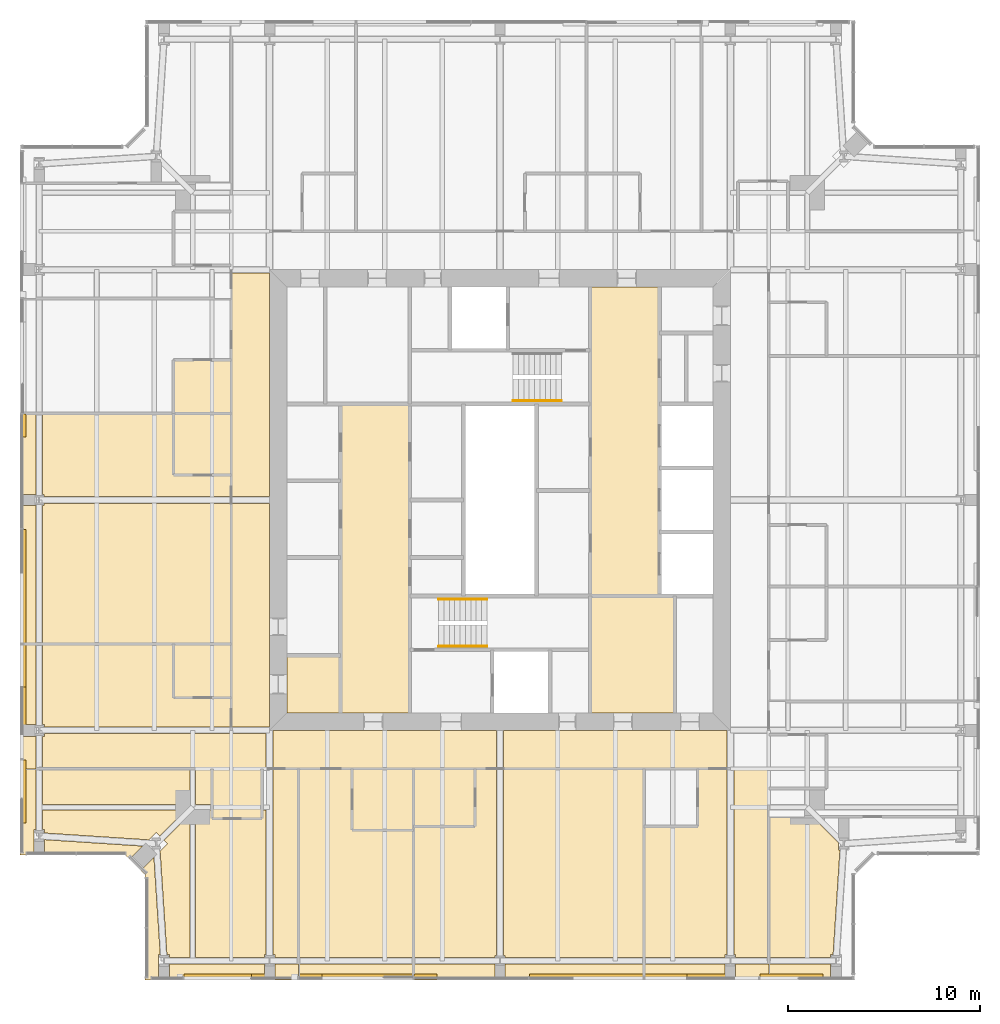
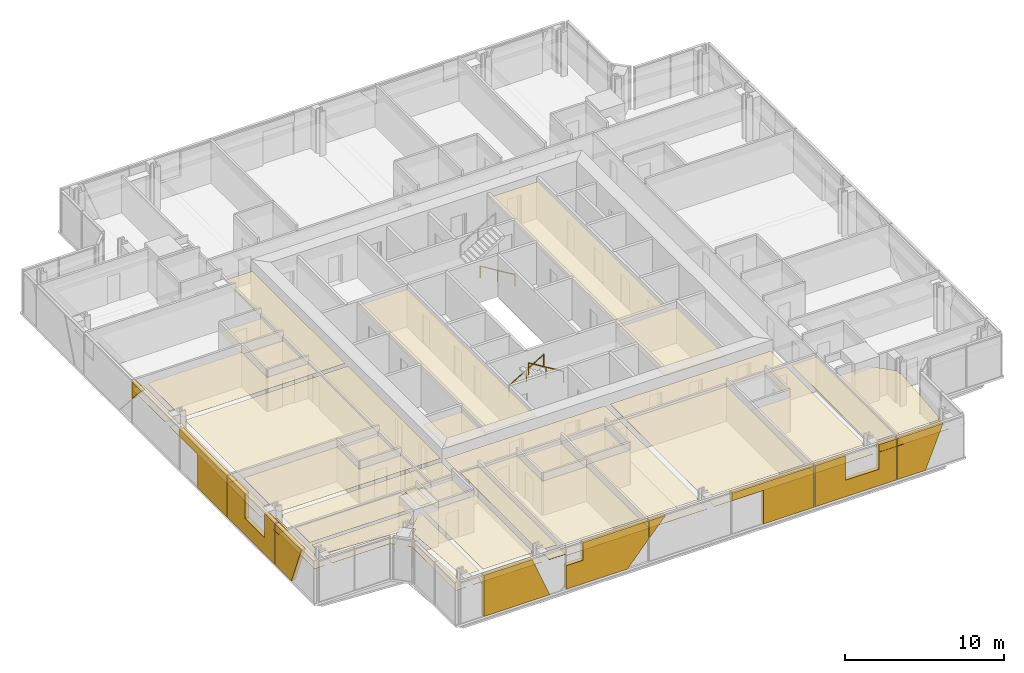
# One storey, part 17 of 19: 56 coverings, 3 railings.
"""IFC4 building model written with IfcOpenShell, lengths in metres."""

from ifc_helpers import new_model, si_unit, direction, frame, origin, origin_2d, place, context, subcontext, project, spatial, polyline, circle, outline, extrude, material, layer, layer_set, type_object, element, save


model = new_model("IFC4")

# Units and contexts
model_context = context("Model", 3, precision=1e-05, world=origin(), true_north=direction((0.0, 1.0)))
body_context = subcontext(model_context, "Body", "Model", "MODEL_VIEW")
ifc_project = project(units=[si_unit("LENGTHUNIT", "METRE"), si_unit("AREAUNIT", "SQUARE_METRE"), si_unit("VOLUMEUNIT", "CUBIC_METRE"), si_unit("PLANEANGLEUNIT", "RADIAN"), si_unit("MASSUNIT", "GRAM", prefix="KILO")], contexts=[model_context])

# Site, building, storey
site_placement = place(None, origin())
site = spatial("IfcSite", under=ifc_project, at=site_placement, CompositionType="ELEMENT")
building_placement = place(site_placement, origin())
building = spatial("IfcBuilding", under=site, at=building_placement, Name="Fenwick Lantern Interchange", CompositionType="ELEMENT")
storey_placement = place(building_placement, frame((0.0, 0.0, 273.0)))
storey = spatial("IfcBuildingStorey", under=building, at=storey_placement, Name="L65", CompositionType="ELEMENT", Elevation=273.0)

# Coverings
ifc_material_1 = material(Name="Granite cladding, warm grey flamed finish, on aluminium carrier frame", Category="masonry")
ifc_layer_1 = layer(ifc_material_1, 0.300048828125)
ifc_layer_set_1 = layer_set([ifc_layer_1], Name="BRACE CASING PANEL 300")
covering_type_1 = type_object("IfcCoveringType", Name="BRACE CASING PANEL 300", PredefinedType="CLADDING", material=ifc_layer_set_1)
covering_1_placement = place(storey_placement, frame((6.60009765625, 0.10009765625, 0.0), z_axis=(0.0, 0.0, 1.0), x_axis=(1.0, 0.0, 0.0)))
element("IfcCovering", 1, at=covering_1_placement, inside=storey, type_object=covering_type_1, Name="Brace casing 01 bay 01a", PredefinedType="CLADDING", context=body_context, shape_type="SweptSolid", body=[
    extrude(outline(polyline([(1.929931640625, 0.0), (6.721435546875, 0.0), (5.44775390625, 3.14990234375), (1.929931640625, 3.14990234375), (1.929931640625, 0.0)])), frame((0.0, 0.2099609375, 0.0), z_axis=(0.0, -1.0, 0.0), x_axis=(1.0, 0.0, 0.0)), (0.0, 0.0, 1.0), 0.300048828125),
])
covering_2_placement = place(storey_placement, frame((6.60009765625, 0.10009765625, 0.0), z_axis=(0.0, 0.0, 1.0), x_axis=(1.0, 0.0, 0.0)))
element("IfcCovering", 2, at=covering_2_placement, inside=storey, type_object=covering_type_1, Name="Brace casing 01 bay 02a", PredefinedType="CLADDING", context=body_context, shape_type="SweptSolid", body=[
    extrude(outline(polyline([(7.929931640625, 0.0), (12.335205078125, 0.0), (13.8701171875, 1.739501953125), (13.8701171875, 3.14990234375), (9.1201171875, 3.14990234375), (9.1201171875, 1.79736328125), (7.929931640625, 1.79736328125), (7.929931640625, 0.0)])), frame((0.0, 0.2099609375, 0.0), z_axis=(0.0, -1.0, 0.0), x_axis=(1.0, 0.0, 0.0)), (0.0, 0.0, 1.0), 0.300048828125),
])
covering_3_placement = place(storey_placement, frame((6.60009765625, 0.10009765625, 1.807373046875), z_axis=(0.0, 0.0, 1.0), x_axis=(1.0, 0.0, 0.0)))
element("IfcCovering", 3, at=covering_3_placement, inside=storey, type_object=covering_type_1, Name="Brace casing 01 bay 03a", PredefinedType="CLADDING", context=body_context, shape_type="SweptSolid", body=[
    extrude(outline(polyline([(13.929931640625, 0.0), (15.114501953125, 1.342529296875), (13.929931640625, 1.342529296875), (13.929931640625, 0.0)])), frame((0.0, 0.2099609375, 0.0), z_axis=(0.0, -1.0, 0.0), x_axis=(1.0, 0.0, 0.0)), (0.0, 0.0, 1.0), 0.300048828125),
])
covering_4_placement = place(storey_placement, frame((6.60009765625, 0.10009765625, 0.0), z_axis=(0.0, 0.0, 1.0), x_axis=(1.0, 0.0, 0.0)))
element("IfcCovering", 4, at=covering_4_placement, inside=storey, type_object=covering_type_1, Name="Brace casing 01 bay 04a", PredefinedType="CLADDING", context=body_context, shape_type="SweptSolid", body=[
    extrude(outline(polyline([(22.195068359375, 0.0), (25.8701171875, 0.0), (25.8701171875, 3.14990234375), (19.929931640625, 3.14990234375), (19.929931640625, 2.572509765625), (22.195068359375, 2.572509765625), (22.195068359375, 0.0)])), frame((0.0, 0.2099609375, 0.0), z_axis=(0.0, -1.0, 0.0), x_axis=(1.0, 0.0, 0.0)), (0.0, 0.0, 1.0), 0.300048828125),
])
covering_5_placement = place(storey_placement, frame((6.60009765625, 0.10009765625, 0.0), z_axis=(0.0, 0.0, 1.0), x_axis=(1.0, 0.0, 0.0)))
element("IfcCovering", 5, at=covering_5_placement, inside=storey, type_object=covering_type_1, Name="Brace casing 01 bay 05a", PredefinedType="CLADDING", context=body_context, shape_type="SweptSolid", body=[
    extrude(outline(polyline([(25.929931640625, 0.0), (31.8701171875, 0.0), (31.8701171875, 3.14990234375), (30.59130859375, 3.14990234375), (30.59130859375, 1.2685546875), (28.146484375, 1.2685546875), (28.146484375, 3.14990234375), (25.929931640625, 3.14990234375), (25.929931640625, 0.0)])), frame((0.0, 0.2099609375, 0.0), z_axis=(0.0, -1.0, 0.0), x_axis=(1.0, 0.0, 0.0)), (0.0, 0.0, 1.0), 0.300048828125),
])
covering_6_placement = place(storey_placement, frame((6.60009765625, 0.10009765625, 0.0), z_axis=(0.0, 0.0, 1.0), x_axis=(1.0, 0.0, 0.0)))
element("IfcCovering", 6, at=covering_6_placement, inside=storey, type_object=covering_type_1, Name="Brace casing 01 bay 06a", PredefinedType="CLADDING", context=body_context, shape_type="SweptSolid", body=[
    extrude(outline(polyline([(31.929931640625, 0.0), (33.961669921875, 0.0), (35.235595703125, 3.14990234375), (31.929931640625, 3.14990234375), (31.929931640625, 0.0)])), frame((0.0, 0.2099609375, 0.0), z_axis=(0.0, -1.0, 0.0), x_axis=(1.0, 0.0, 0.0)), (0.0, 0.0, 1.0), 0.300048828125),
])
covering_7_placement = place(storey_placement, frame((0.10009765625, 43.39990234375, 1.807373046875), z_axis=(0.0, 0.0, 1.0), x_axis=(0.0, -1.0, 0.0)))
element("IfcCovering", 7, at=covering_7_placement, inside=storey, type_object=covering_type_1, Name="Brace casing 13 bay 03a", PredefinedType="CLADDING", context=body_context, shape_type="SweptSolid", body=[
    extrude(outline(polyline([(13.929931640625, 0.0), (15.114501953125, 1.342529296875), (13.929931640625, 1.342529296875), (13.929931640625, 0.0)])), frame((0.0, 0.2099609375, 0.0), z_axis=(0.0, -1.0, 0.0), x_axis=(1.0, 0.0, 0.0)), (0.0, 0.0, 1.0), 0.300048828125),
])
covering_8_placement = place(storey_placement, frame((0.10009765625, 43.39990234375, 0.0), z_axis=(0.0, 0.0, 1.0), x_axis=(0.0, -1.0, 0.0)))
element("IfcCovering", 8, at=covering_8_placement, inside=storey, type_object=covering_type_1, Name="Brace casing 13 bay 04a", PredefinedType="CLADDING", context=body_context, shape_type="SweptSolid", body=[
    extrude(outline(polyline([(22.195068359375, 0.0), (25.8701171875, 0.0), (25.8701171875, 3.14990234375), (19.929931640625, 3.14990234375), (19.929931640625, 2.572509765625), (22.195068359375, 2.572509765625), (22.195068359375, 0.0)])), frame((0.0, 0.2099609375, 0.0), z_axis=(0.0, -1.0, 0.0), x_axis=(1.0, 0.0, 0.0)), (0.0, 0.0, 1.0), 0.300048828125),
])
covering_9_placement = place(storey_placement, frame((0.10009765625, 43.39990234375, 0.0), z_axis=(0.0, 0.0, 1.0), x_axis=(0.0, -1.0, 0.0)))
element("IfcCovering", 9, at=covering_9_placement, inside=storey, type_object=covering_type_1, Name="Brace casing 13 bay 05a", PredefinedType="CLADDING", context=body_context, shape_type="SweptSolid", body=[
    extrude(outline(polyline([(25.929931640625, 0.0), (31.8701171875, 0.0), (31.8701171875, 3.14990234375), (30.59130859375, 3.14990234375), (30.59130859375, 1.2685546875), (28.146484375, 1.2685546875), (28.146484375, 3.14990234375), (25.929931640625, 3.14990234375), (25.929931640625, 0.0)])), frame((0.0, 0.2099609375, 0.0), z_axis=(0.0, -1.0, 0.0), x_axis=(1.0, 0.0, 0.0)), (0.0, 0.0, 1.0), 0.300048828125),
])
covering_10_placement = place(storey_placement, frame((0.10009765625, 43.39990234375, 0.0), z_axis=(0.0, 0.0, 1.0), x_axis=(0.0, -1.0, 0.0)))
element("IfcCovering", 10, at=covering_10_placement, inside=storey, type_object=covering_type_1, Name="Brace casing 13 bay 06a", PredefinedType="CLADDING", context=body_context, shape_type="SweptSolid", body=[
    extrude(outline(polyline([(31.929931640625, 0.0), (33.961669921875, 0.0), (35.235595703125, 3.14990234375), (31.929931640625, 3.14990234375), (31.929931640625, 0.0)])), frame((0.0, 0.2099609375, 0.0), z_axis=(0.0, -1.0, 0.0), x_axis=(1.0, 0.0, 0.0)), (0.0, 0.0, 1.0), 0.300048828125),
])

# Railings
ifc_material_2 = material(Name="Stainless steel handrail", Category="steel")
railing_type = type_object("IfcRailingType", Name="HANDRAIL 900", PredefinedType="HANDRAIL", material=ifc_material_2)
railing_1_placement = place(storey_placement, frame((21.800048828125, 19.825927734375, 0.169921875)))
element("IfcRailing", 11, at=railing_1_placement, inside=storey, type_object=railing_type, Name="L65/STAIR/ST1/HR1", PredefinedType="HANDRAIL", context=body_context, shape_type="SweptSolid", body=[
    extrude(circle(Radius=0.02392578125, at=origin_2d()), frame((0.0, 0.0, 0.8759765625), z_axis=(0.85478489116, 0.0, 0.518982456201), x_axis=(0.0, 1.0, 0.0)), (0.0, 0.0, 1.0), 2.9482421875),
    extrude(circle(Radius=0.02099609375, at=origin_2d()), origin(), (0.0, 0.0, 1.0), 0.851806640625),
    extrude(circle(Radius=0.02099609375, at=origin_2d()), frame((1.260009765625, 0.0, 0.76513671875)), (0.0, 0.0, 1.0), 0.851806640625),
    extrude(circle(Radius=0.02099609375, at=origin_2d()), frame((2.52001953125, 0.0, 1.530029296875)), (0.0, 0.0, 1.0), 0.851806640625),
])
railing_2_placement = place(storey_placement, frame((24.320068359375, 17.3740234375, 1.8701171875)))
element("IfcRailing", 12, at=railing_2_placement, inside=storey, type_object=railing_type, Name="L65/STAIR/ST1/HR2", PredefinedType="HANDRAIL", context=body_context, shape_type="SweptSolid", body=[
    extrude(circle(Radius=0.02392578125, at=origin_2d()), frame((0.0, 0.0, 0.8759765625), z_axis=(-0.854821627497, 0.0, 0.518921945155), x_axis=(0.0, -1.0, 0.0)), (0.0, 0.0, 1.0), 2.947998046875),
    extrude(circle(Radius=0.02099609375, at=origin_2d()), origin(), (0.0, 0.0, 1.0), 0.851806640625),
    extrude(circle(Radius=0.02099609375, at=origin_2d()), frame((-1.260009765625, 0.0, 0.764892578125)), (0.0, 0.0, 1.0), 0.851806640625),
    extrude(circle(Radius=0.02099609375, at=origin_2d()), frame((-2.52001953125, 0.0, 1.52978515625)), (0.0, 0.0, 1.0), 0.851806640625),
])
railing_3_placement = place(storey_placement, frame((28.199951171875, 30.174072265625, 0.169921875)))
element("IfcRailing", 13, at=railing_3_placement, inside=storey, type_object=railing_type, Name="L65/STAIR/ST2/HR1", PredefinedType="HANDRAIL", context=body_context, shape_type="SweptSolid", body=[
    extrude(circle(Radius=0.02392578125, at=origin_2d()), frame((0.0, 0.0, 0.8759765625), z_axis=(-0.85478489116, 0.0, 0.518982456201), x_axis=(0.0, -1.0, 0.0)), (0.0, 0.0, 1.0), 2.9482421875),
    extrude(circle(Radius=0.02099609375, at=origin_2d()), origin(), (0.0, 0.0, 1.0), 0.851806640625),
    extrude(circle(Radius=0.02099609375, at=origin_2d()), frame((-1.260009765625, 0.0, 0.76513671875)), (0.0, 0.0, 1.0), 0.851806640625),
    extrude(circle(Radius=0.02099609375, at=origin_2d()), frame((-2.52001953125, 0.0, 1.530029296875)), (0.0, 0.0, 1.0), 0.851806640625),
])

# Coverings
ifc_material_3 = material(Name="Moisture resistant gypsum board on suspended frame, painted")
ifc_layer_2 = layer(ifc_material_3, 0.014892578125)
ifc_layer_set_2 = layer_set([ifc_layer_2], Name="MOISTURE RESISTANT CEILING 15")
covering_type_2 = type_object("IfcCoveringType", Name="MOISTURE RESISTANT CEILING 15", PredefinedType="CEILING", material=ifc_layer_set_2)
covering_11_placement = place(storey_placement, frame((0.0, 0.0, 2.60009765625)))
element("IfcCovering", 14, at=covering_11_placement, inside=storey, type_object=covering_type_2, Name="Women's WC ceiling", PredefinedType="CEILING", context=body_context, shape_type="SweptSolid", body=[
    extrude(outline(polyline([(29.699951171875, 13.89990234375), (34.10009765625, 13.89990234375), (34.10009765625, 20.0), (29.699951171875, 20.0), (29.699951171875, 13.89990234375)])), origin(), (0.0, 0.0, 1.0), 0.014892578125),
])
covering_12_placement = place(storey_placement, frame((0.0, 0.0, 2.60009765625)))
element("IfcCovering", 15, at=covering_12_placement, inside=storey, type_object=covering_type_2, Name="Accessible WC ceiling", PredefinedType="CEILING", context=body_context, shape_type="SweptSolid", body=[
    extrude(outline(polyline([(13.89990234375, 13.89990234375), (16.699951171875, 13.89990234375), (16.699951171875, 16.89990234375), (13.89990234375, 16.89990234375), (13.89990234375, 13.89990234375)])), origin(), (0.0, 0.0, 1.0), 0.014892578125),
])
covering_13_placement = place(storey_placement, frame((0.0, 0.0, 2.39990234375)))
element("IfcCovering", 16, at=covering_13_placement, inside=storey, type_object=covering_type_2, Name="En-suite 6501 ceiling", PredefinedType="CEILING", context=body_context, shape_type="SweptSolid", body=[
    extrude(outline(polyline([(10.0, 8.39990234375), (12.60009765625, 8.39990234375), (12.60009765625, 11.0), (10.0, 11.0), (10.0, 8.39990234375)])), origin(), (0.0, 0.0, 1.0), 0.01513671875),
])
covering_14_placement = place(storey_placement, frame((0.0, 0.0, 2.39990234375)))
element("IfcCovering", 17, at=covering_14_placement, inside=storey, type_object=covering_type_2, Name="En-suite 6502 ceiling", PredefinedType="CEILING", context=body_context, shape_type="SweptSolid", body=[
    extrude(outline(polyline([(17.300048828125, 7.800048828125), (20.5, 7.800048828125), (20.5, 11.0), (17.300048828125, 11.0), (17.300048828125, 7.800048828125)])), origin(), (0.0, 0.0, 1.0), 0.01513671875),
])
covering_15_placement = place(storey_placement, frame((0.0, 0.0, 2.39990234375)))
element("IfcCovering", 18, at=covering_15_placement, inside=storey, type_object=covering_type_2, Name="En-suite 6503 ceiling", PredefinedType="CEILING", context=body_context, shape_type="SweptSolid", body=[
    extrude(outline(polyline([(20.5, 8.0), (23.699951171875, 8.0), (23.699951171875, 11.0), (20.5, 11.0), (20.5, 8.0)])), origin(), (0.0, 0.0, 1.0), 0.01513671875),
])
covering_16_placement = place(storey_placement, frame((0.0, 0.0, 2.39990234375)))
element("IfcCovering", 19, at=covering_16_placement, inside=storey, type_object=covering_type_2, Name="En-suite 6514 ceiling", PredefinedType="CEILING", context=body_context, shape_type="SweptSolid", body=[
    extrude(outline(polyline([(8.0, 32.300048828125), (8.0, 29.5), (11.0, 29.5), (11.0, 32.300048828125), (8.0, 32.300048828125)])), origin(), (0.0, 0.0, 1.0), 0.01513671875),
])
covering_17_placement = place(storey_placement, frame((0.0, 0.0, 2.39990234375)))
element("IfcCovering", 20, at=covering_17_placement, inside=storey, type_object=covering_type_2, Name="En-suite 6515 ceiling", PredefinedType="CEILING", context=body_context, shape_type="SweptSolid", body=[
    extrude(outline(polyline([(8.0, 29.5), (8.0, 26.300048828125), (11.0, 26.300048828125), (11.0, 29.5), (8.0, 29.5)])), origin(), (0.0, 0.0, 1.0), 0.01513671875),
])
covering_18_placement = place(storey_placement, frame((0.0, 0.0, 2.39990234375)))
element("IfcCovering", 21, at=covering_18_placement, inside=storey, type_object=covering_type_2, Name="En-suite 6516 ceiling", PredefinedType="CEILING", context=body_context, shape_type="SweptSolid", body=[
    extrude(outline(polyline([(8.0, 17.5), (8.0, 14.699951171875), (11.0, 14.699951171875), (11.0, 17.5), (8.0, 17.5)])), origin(), (0.0, 0.0, 1.0), 0.01513671875),
])
ifc_material_4 = material(Name="Gypsum plasterboard on suspended frame, painted")
ifc_layer_3 = layer(ifc_material_4, 0.014892578125)
ifc_layer_set_3 = layer_set([ifc_layer_3], Name="PLASTERBOARD CEILING 15")
covering_type_3 = type_object("IfcCoveringType", Name="PLASTERBOARD CEILING 15", PredefinedType="CEILING", material=ifc_layer_set_3)
covering_19_placement = place(storey_placement, frame((0.0, 0.0, 2.800048828125)))
element("IfcCovering", 22, at=covering_19_placement, inside=storey, type_object=covering_type_3, Name="Lift lobby ceiling", PredefinedType="CEILING", context=body_context, shape_type="SweptSolid", body=[
    extrude(outline(polyline([(16.699951171875, 13.89990234375), (20.300048828125, 13.89990234375), (20.300048828125, 30.0), (16.699951171875, 30.0), (16.699951171875, 13.89990234375)])), origin(), (0.0, 0.0, 1.0), 0.014892578125),
])
covering_20_placement = place(storey_placement, frame((0.0, 0.0, 2.800048828125)))
element("IfcCovering", 23, at=covering_20_placement, inside=storey, type_object=covering_type_3, Name="Lift lobby ceiling", PredefinedType="CEILING", context=body_context, shape_type="SweptSolid", body=[
    extrude(outline(polyline([(33.300048828125, 36.10009765625), (29.699951171875, 36.10009765625), (29.699951171875, 20.0), (33.300048828125, 20.0), (33.300048828125, 36.10009765625)])), origin(), (0.0, 0.0, 1.0), 0.014892578125),
])
covering_21_placement = place(storey_placement, frame((0.0, 0.0, 2.57275390625)))
element("IfcCovering", 24, at=covering_21_placement, inside=storey, type_object=covering_type_3, Name="Corridor ceiling", PredefinedType="CEILING", context=body_context, shape_type="SweptSolid", body=[
    extrude(outline(polyline([(11.0, 36.833984375), (11.0, 25.175048828125), (13.0, 25.175048828125), (13.0, 36.833984375), (11.0, 36.833984375)])), origin(), (0.0, 0.0, 1.0), 0.01513671875),
])
covering_22_placement = place(storey_placement, frame((0.0, 0.0, 2.57275390625)))
element("IfcCovering", 25, at=covering_22_placement, inside=storey, type_object=covering_type_3, Name="Corridor ceiling", PredefinedType="CEILING", context=body_context, shape_type="SweptSolid", body=[
    extrude(outline(polyline([(11.0, 24.824951171875), (11.0, 13.166015625), (13.0, 13.166015625), (13.0, 24.824951171875), (11.0, 24.824951171875)])), origin(), (0.0, 0.0, 1.0), 0.01513671875),
])
covering_23_placement = place(storey_placement, frame((0.0, 0.0, 2.57275390625)))
element("IfcCovering", 26, at=covering_23_placement, inside=storey, type_object=covering_type_3, Name="Corridor ceiling", PredefinedType="CEILING", context=body_context, shape_type="SweptSolid", body=[
    extrude(outline(polyline([(13.183837890625, 11.0), (24.816162109375, 11.0), (24.816162109375, 13.0), (13.183837890625, 13.0), (13.183837890625, 11.0)])), origin(), (0.0, 0.0, 1.0), 0.01513671875),
])
covering_24_placement = place(storey_placement, frame((0.0, 0.0, 2.57275390625)))
element("IfcCovering", 27, at=covering_24_placement, inside=storey, type_object=covering_type_3, Name="Corridor ceiling", PredefinedType="CEILING", context=body_context, shape_type="SweptSolid", body=[
    extrude(outline(polyline([(25.183837890625, 11.0), (36.816162109375, 11.0), (36.816162109375, 13.0), (25.183837890625, 13.0), (25.183837890625, 11.0)])), origin(), (0.0, 0.0, 1.0), 0.01513671875),
])
covering_25_placement = place(storey_placement, frame((0.0, 0.0, 2.57275390625)))
element("IfcCovering", 28, at=covering_25_placement, inside=storey, type_object=covering_type_3, Name="Corridor ceiling", PredefinedType="CEILING", context=body_context, shape_type="SweptSolid", body=[
    extrude(outline(polyline([(11.0, 11.0), (12.816162109375, 11.0), (12.816162109375, 12.833984375), (11.0, 12.833984375), (11.0, 11.0)])), origin(), (0.0, 0.0, 1.0), 0.01513671875),
])
covering_26_placement = place(storey_placement, frame((0.0, 0.0, 2.699951171875)))
element("IfcCovering", 29, at=covering_26_placement, inside=storey, type_object=covering_type_3, Name="Guest suite 6501 ceiling", PredefinedType="CEILING", context=body_context, shape_type="SweptSolid", body=[
    extrude(outline(polyline([(10.0, 8.39990234375), (10.0, 8.865478515625), (9.134521484375, 8.865478515625), (9.134521484375, 1.17236328125), (12.72900390625, 1.17236328125), (12.72900390625, 1.3154296875), (12.816162109375, 1.3154296875), (12.816162109375, 8.865478515625), (12.60009765625, 8.865478515625), (12.60009765625, 8.39990234375), (10.0, 8.39990234375)])), origin(), (0.0, 0.0, 1.0), 0.01513671875),
])
covering_27_placement = place(storey_placement, frame((0.0, 0.0, 2.699951171875)))
element("IfcCovering", 30, at=covering_27_placement, inside=storey, type_object=covering_type_3, Name="Guest suite 6501 ceiling", PredefinedType="CEILING", context=body_context, shape_type="SweptSolid", body=[
    extrude(outline(polyline([(8.865478515625, 11.0), (1.17236328125, 11.0), (1.17236328125, 9.134521484375), (8.865478515625, 9.134521484375), (8.865478515625, 11.0)])), origin(), (0.0, 0.0, 1.0), 0.01513671875),
])
covering_28_placement = place(storey_placement, frame((0.0, 0.0, 2.699951171875)))
element("IfcCovering", 31, at=covering_28_placement, inside=storey, type_object=covering_type_3, Name="Guest suite 6501 ceiling", PredefinedType="CEILING", context=body_context, shape_type="SweptSolid", body=[
    extrude(outline(polyline([(14.5, 11.0), (13.183837890625, 11.0), (13.183837890625, 1.3154296875), (13.27099609375, 1.3154296875), (13.27099609375, 1.17236328125), (14.5, 1.17236328125), (14.5, 11.0)])), origin(), (0.0, 0.0, 1.0), 0.01513671875),
])
covering_29_placement = place(storey_placement, frame((0.0, 0.0, 2.699951171875)))
element("IfcCovering", 32, at=covering_29_placement, inside=storey, type_object=covering_type_3, Name="Guest suite 6501 ceiling", PredefinedType="CEILING", context=body_context, shape_type="SweptSolid", body=[
    extrude(outline(polyline([(7.10009765625, 7.6826171875), (7.28271484375, 7.499755859375), (8.648681640625, 8.865478515625), (1.17236328125, 8.865478515625), (1.17236328125, 7.83447265625), (1.27734375, 7.83447265625), (1.27734375, 7.654541015625), (6.715576171875, 7.298095703125), (7.10009765625, 7.6826171875)])), origin(), (0.0, 0.0, 1.0), 0.01513671875),
])
covering_30_placement = place(storey_placement, frame((0.0, 0.0, 2.699951171875)))
element("IfcCovering", 33, at=covering_30_placement, inside=storey, type_object=covering_type_3, Name="Guest suite 6501 ceiling", PredefinedType="CEILING", context=body_context, shape_type="SweptSolid", body=[
    extrude(outline(polyline([(7.77734375, 1.33447265625), (7.77734375, 1.17236328125), (8.865478515625, 1.17236328125), (8.865478515625, 8.648681640625), (7.499755859375, 7.28271484375), (7.6826171875, 7.10009765625), (7.298095703125, 6.715576171875), (7.65087890625, 1.33447265625), (7.77734375, 1.33447265625)])), origin(), (0.0, 0.0, 1.0), 0.01513671875),
])
covering_31_placement = place(storey_placement, frame((0.0, 0.0, 2.699951171875)))
element("IfcCovering", 34, at=covering_31_placement, inside=storey, type_object=covering_type_3, Name="Guest suite 6501 ceiling", PredefinedType="CEILING", context=body_context, shape_type="SweptSolid", body=[
    extrude(outline(polyline([(7.22265625, 1.33447265625), (7.30517578125, 1.33447265625), (6.9736328125, 6.39111328125), (6.291259765625, 5.708740234375), (6.5, 5.5), (6.5, 0.0), (7.22265625, 0.0), (7.22265625, 1.33447265625)])), origin(), (0.0, 0.0, 1.0), 0.01513671875),
])
covering_32_placement = place(storey_placement, frame((0.0, 0.0, 2.699951171875)))
element("IfcCovering", 35, at=covering_32_placement, inside=storey, type_object=covering_type_3, Name="Guest suite 6501 ceiling", PredefinedType="CEILING", context=body_context, shape_type="SweptSolid", body=[
    extrude(outline(polyline([(12.72900390625, 0.0), (12.72900390625, 0.82763671875), (7.77734375, 0.82763671875), (7.77734375, 0.0), (12.72900390625, 0.0)])), origin(), (0.0, 0.0, 1.0), 0.01513671875),
])
covering_33_placement = place(storey_placement, frame((0.0, 0.0, 2.699951171875)))
element("IfcCovering", 36, at=covering_33_placement, inside=storey, type_object=covering_type_3, Name="Guest suite 6501 ceiling", PredefinedType="CEILING", context=body_context, shape_type="SweptSolid", body=[
    extrude(outline(polyline([(0.72265625, 7.83447265625), (0.82763671875, 7.83447265625), (0.82763671875, 11.0), (0.0, 11.0), (0.0, 6.5), (0.72265625, 6.5), (0.72265625, 7.83447265625)])), origin(), (0.0, 0.0, 1.0), 0.01513671875),
])
covering_34_placement = place(storey_placement, frame((0.0, 0.0, 2.699951171875)))
element("IfcCovering", 37, at=covering_34_placement, inside=storey, type_object=covering_type_3, Name="Guest suite 6501 ceiling", PredefinedType="CEILING", context=body_context, shape_type="SweptSolid", body=[
    extrude(outline(polyline([(5.708740234375, 6.291259765625), (6.39111328125, 6.9736328125), (1.27734375, 7.30908203125), (1.27734375, 6.5), (5.5, 6.5), (5.708740234375, 6.291259765625)])), origin(), (0.0, 0.0, 1.0), 0.01513671875),
])
covering_35_placement = place(storey_placement, frame((0.0, 0.0, 2.699951171875)))
element("IfcCovering", 38, at=covering_35_placement, inside=storey, type_object=covering_type_3, Name="Guest suite 6501 ceiling", PredefinedType="CEILING", context=body_context, shape_type="SweptSolid", body=[
    extrude(outline(polyline([(10.0, 9.134521484375), (10.0, 11.0), (9.134521484375, 11.0), (9.134521484375, 9.134521484375), (10.0, 9.134521484375)])), origin(), (0.0, 0.0, 1.0), 0.01513671875),
])
covering_36_placement = place(storey_placement, frame((0.0, 0.0, 2.699951171875)))
element("IfcCovering", 39, at=covering_36_placement, inside=storey, type_object=covering_type_3, Name="Guest suite 6501 ceiling", PredefinedType="CEILING", context=body_context, shape_type="SweptSolid", body=[
    extrude(outline(polyline([(14.5, 0.0), (14.5, 0.82763671875), (13.27099609375, 0.82763671875), (13.27099609375, 0.0), (14.5, 0.0)])), origin(), (0.0, 0.0, 1.0), 0.01513671875),
])
covering_37_placement = place(storey_placement, frame((0.0, 0.0, 2.57275390625)))
element("IfcCovering", 40, at=covering_37_placement, inside=storey, type_object=covering_type_3, Name="Guest room 6502 ceiling", PredefinedType="CEILING", context=body_context, shape_type="SweptSolid", body=[
    extrude(outline(polyline([(14.5, 11.0), (14.5, 1.17236328125), (20.5, 1.17236328125), (20.5, 7.800048828125), (17.300048828125, 7.800048828125), (17.300048828125, 11.0), (14.5, 11.0)])), origin(), (0.0, 0.0, 1.0), 0.01513671875),
])
covering_38_placement = place(storey_placement, frame((0.0, 0.0, 2.57275390625)))
element("IfcCovering", 41, at=covering_38_placement, inside=storey, type_object=covering_type_3, Name="Guest room 6502 ceiling", PredefinedType="CEILING", context=body_context, shape_type="SweptSolid", body=[
    extrude(outline(polyline([(14.5, 0.0), (20.5, 0.0), (20.5, 0.82763671875), (14.5, 0.82763671875), (14.5, 0.0)])), origin(), (0.0, 0.0, 1.0), 0.01513671875),
])
covering_39_placement = place(storey_placement, frame((0.0, 0.0, 2.57275390625)))
element("IfcCovering", 42, at=covering_39_placement, inside=storey, type_object=covering_type_3, Name="Guest suite 6503 ceiling", PredefinedType="CEILING", context=body_context, shape_type="SweptSolid", body=[
    extrude(outline(polyline([(25.26220703125, 1.28759765625), (25.26220703125, 1.17236328125), (32.5, 1.17236328125), (32.5, 11.0), (25.183837890625, 11.0), (25.183837890625, 1.28759765625), (25.26220703125, 1.28759765625)])), origin(), (0.0, 0.0, 1.0), 0.01513671875),
])
covering_40_placement = place(storey_placement, frame((0.0, 0.0, 2.57275390625)))
element("IfcCovering", 43, at=covering_40_placement, inside=storey, type_object=covering_type_3, Name="Guest suite 6503 ceiling", PredefinedType="CEILING", context=body_context, shape_type="SweptSolid", body=[
    extrude(outline(polyline([(24.73779296875, 1.28759765625), (24.816162109375, 1.28759765625), (24.816162109375, 11.0), (23.699951171875, 11.0), (23.699951171875, 8.0), (20.5, 8.0), (20.5, 1.17236328125), (24.73779296875, 1.17236328125), (24.73779296875, 1.28759765625)])), origin(), (0.0, 0.0, 1.0), 0.01513671875),
])
covering_41_placement = place(storey_placement, frame((0.0, 0.0, 2.57275390625)))
element("IfcCovering", 44, at=covering_41_placement, inside=storey, type_object=covering_type_3, Name="Guest suite 6503 ceiling", PredefinedType="CEILING", context=body_context, shape_type="SweptSolid", body=[
    extrude(outline(polyline([(25.26220703125, 0.0), (32.5, 0.0), (32.5, 0.82763671875), (25.26220703125, 0.82763671875), (25.26220703125, 0.0)])), origin(), (0.0, 0.0, 1.0), 0.01513671875),
])
covering_42_placement = place(storey_placement, frame((0.0, 0.0, 2.57275390625)))
element("IfcCovering", 45, at=covering_42_placement, inside=storey, type_object=covering_type_3, Name="Guest suite 6503 ceiling", PredefinedType="CEILING", context=body_context, shape_type="SweptSolid", body=[
    extrude(outline(polyline([(24.73779296875, 0.0), (24.73779296875, 0.82763671875), (20.5, 0.82763671875), (20.5, 0.0), (24.73779296875, 0.0)])), origin(), (0.0, 0.0, 1.0), 0.01513671875),
])
covering_43_placement = place(storey_placement, frame((0.0, 0.0, 2.57275390625)))
element("IfcCovering", 46, at=covering_43_placement, inside=storey, type_object=covering_type_3, Name="Guest room 6504 ceiling", PredefinedType="CEILING", context=body_context, shape_type="SweptSolid", body=[
    extrude(outline(polyline([(36.72900390625, 1.3154296875), (36.816162109375, 1.3154296875), (36.816162109375, 11.0), (35.300048828125, 11.0), (35.300048828125, 8.0), (32.5, 8.0), (32.5, 1.17236328125), (36.72900390625, 1.17236328125), (36.72900390625, 1.3154296875)])), origin(), (0.0, 0.0, 1.0), 0.01513671875),
])
covering_44_placement = place(storey_placement, frame((0.0, 0.0, 2.57275390625)))
element("IfcCovering", 47, at=covering_44_placement, inside=storey, type_object=covering_type_3, Name="Guest room 6504 ceiling", PredefinedType="CEILING", context=body_context, shape_type="SweptSolid", body=[
    extrude(outline(polyline([(37.27099609375, 1.3154296875), (37.27099609375, 1.17236328125), (39.0, 1.17236328125), (39.0, 11.0), (37.183837890625, 11.0), (37.183837890625, 1.3154296875), (37.27099609375, 1.3154296875)])), origin(), (0.0, 0.0, 1.0), 0.01513671875),
])
covering_45_placement = place(storey_placement, frame((0.0, 0.0, 2.57275390625)))
element("IfcCovering", 48, at=covering_45_placement, inside=storey, type_object=covering_type_3, Name="Guest room 6504 ceiling", PredefinedType="CEILING", context=body_context, shape_type="SweptSolid", body=[
    extrude(outline(polyline([(36.72900390625, 0.0), (36.72900390625, 0.82763671875), (32.5, 0.82763671875), (32.5, 0.0), (36.72900390625, 0.0)])), origin(), (0.0, 0.0, 1.0), 0.01513671875),
])
covering_46_placement = place(storey_placement, frame((0.0, 0.0, 2.57275390625)))
element("IfcCovering", 49, at=covering_46_placement, inside=storey, type_object=covering_type_3, Name="Guest room 6504 ceiling", PredefinedType="CEILING", context=body_context, shape_type="SweptSolid", body=[
    extrude(outline(polyline([(37.27099609375, 0.0), (39.0, 0.0), (39.0, 0.82763671875), (37.27099609375, 0.82763671875), (37.27099609375, 0.0)])), origin(), (0.0, 0.0, 1.0), 0.01513671875),
])
covering_47_placement = place(storey_placement, frame((0.0, 0.0, 2.57275390625)))
element("IfcCovering", 50, at=covering_47_placement, inside=storey, type_object=covering_type_3, Name="Guest suite 6505 sitting room ceiling", PredefinedType="CEILING", context=body_context, shape_type="SweptSolid", body=[
    extrude(outline(polyline([(42.22265625, 1.33447265625), (42.34912109375, 1.33447265625), (42.705322265625, 6.765625), (42.62255859375, 6.765625), (42.62255859375, 7.160400390625), (41.283203125, 8.5), (39.0, 8.5), (39.0, 1.17236328125), (42.22265625, 1.17236328125), (42.22265625, 1.33447265625)])), origin(), (0.0, 0.0, 1.0), 0.01513671875),
])
covering_48_placement = place(storey_placement, frame((0.0, 0.0, 2.57275390625)))
element("IfcCovering", 51, at=covering_48_placement, inside=storey, type_object=covering_type_3, Name="Guest suite 6505 sitting room ceiling", PredefinedType="CEILING", context=body_context, shape_type="SweptSolid", body=[
    extrude(outline(polyline([(42.22265625, 0.0), (42.22265625, 0.82763671875), (39.0, 0.82763671875), (39.0, 0.0), (42.22265625, 0.0)])), origin(), (0.0, 0.0, 1.0), 0.01513671875),
])
covering_49_placement = place(storey_placement, frame((0.0, 0.0, 2.57275390625)))
element("IfcCovering", 52, at=covering_49_placement, inside=storey, type_object=covering_type_3, Name="Guest suite 6515 ceiling", PredefinedType="CEILING", context=body_context, shape_type="SweptSolid", body=[
    extrude(outline(polyline([(1.26220703125, 24.71240234375), (1.17236328125, 24.71240234375), (1.17236328125, 17.5), (11.0, 17.5), (11.0, 24.824951171875), (1.26220703125, 24.824951171875), (1.26220703125, 24.71240234375)])), origin(), (0.0, 0.0, 1.0), 0.01513671875),
])
covering_50_placement = place(storey_placement, frame((0.0, 0.0, 2.57275390625)))
element("IfcCovering", 53, at=covering_50_placement, inside=storey, type_object=covering_type_3, Name="Guest suite 6515 ceiling", PredefinedType="CEILING", context=body_context, shape_type="SweptSolid", body=[
    extrude(outline(polyline([(1.26220703125, 25.28759765625), (1.26220703125, 25.175048828125), (11.0, 25.175048828125), (11.0, 26.300048828125), (8.0, 26.300048828125), (8.0, 29.5), (1.17236328125, 29.5), (1.17236328125, 25.28759765625), (1.26220703125, 25.28759765625)])), origin(), (0.0, 0.0, 1.0), 0.01513671875),
])
covering_51_placement = place(storey_placement, frame((0.0, 0.0, 2.57275390625)))
element("IfcCovering", 54, at=covering_51_placement, inside=storey, type_object=covering_type_3, Name="Guest suite 6515 ceiling", PredefinedType="CEILING", context=body_context, shape_type="SweptSolid", body=[
    extrude(outline(polyline([(0.0, 24.71240234375), (0.0, 17.5), (0.82763671875, 17.5), (0.82763671875, 24.71240234375), (0.0, 24.71240234375)])), origin(), (0.0, 0.0, 1.0), 0.01513671875),
])
covering_52_placement = place(storey_placement, frame((0.0, 0.0, 2.57275390625)))
element("IfcCovering", 55, at=covering_52_placement, inside=storey, type_object=covering_type_3, Name="Guest suite 6515 ceiling", PredefinedType="CEILING", context=body_context, shape_type="SweptSolid", body=[
    extrude(outline(polyline([(0.0, 25.28759765625), (0.82763671875, 25.28759765625), (0.82763671875, 29.5), (0.0, 29.5), (0.0, 25.28759765625)])), origin(), (0.0, 0.0, 1.0), 0.01513671875),
])
covering_53_placement = place(storey_placement, frame((0.0, 0.0, 2.57275390625)))
element("IfcCovering", 56, at=covering_53_placement, inside=storey, type_object=covering_type_3, Name="Guest room 6516 ceiling", PredefinedType="CEILING", context=body_context, shape_type="SweptSolid", body=[
    extrude(outline(polyline([(1.27099609375, 13.3154296875), (1.27099609375, 13.166015625), (11.0, 13.166015625), (11.0, 14.699951171875), (8.0, 14.699951171875), (8.0, 17.5), (1.17236328125, 17.5), (1.17236328125, 13.3154296875), (1.27099609375, 13.3154296875)])), origin(), (0.0, 0.0, 1.0), 0.01513671875),
])
covering_54_placement = place(storey_placement, frame((0.0, 0.0, 2.57275390625)))
element("IfcCovering", 57, at=covering_54_placement, inside=storey, type_object=covering_type_3, Name="Guest room 6516 ceiling", PredefinedType="CEILING", context=body_context, shape_type="SweptSolid", body=[
    extrude(outline(polyline([(1.27099609375, 12.6845703125), (1.17236328125, 12.6845703125), (1.17236328125, 11.0), (11.0, 11.0), (11.0, 12.833984375), (1.27099609375, 12.833984375), (1.27099609375, 12.6845703125)])), origin(), (0.0, 0.0, 1.0), 0.01513671875),
])
covering_55_placement = place(storey_placement, frame((0.0, 0.0, 2.57275390625)))
element("IfcCovering", 58, at=covering_55_placement, inside=storey, type_object=covering_type_3, Name="Guest room 6516 ceiling", PredefinedType="CEILING", context=body_context, shape_type="SweptSolid", body=[
    extrude(outline(polyline([(0.0, 13.3154296875), (0.82763671875, 13.3154296875), (0.82763671875, 17.5), (0.0, 17.5), (0.0, 13.3154296875)])), origin(), (0.0, 0.0, 1.0), 0.01513671875),
])
covering_56_placement = place(storey_placement, frame((0.0, 0.0, 2.57275390625)))
element("IfcCovering", 59, at=covering_56_placement, inside=storey, type_object=covering_type_3, Name="Guest room 6516 ceiling", PredefinedType="CEILING", context=body_context, shape_type="SweptSolid", body=[
    extrude(outline(polyline([(0.0, 12.6845703125), (0.0, 11.0), (0.82763671875, 11.0), (0.82763671875, 12.6845703125), (0.0, 12.6845703125)])), origin(), (0.0, 0.0, 1.0), 0.01513671875),
])

save(model, "model.ifc")
